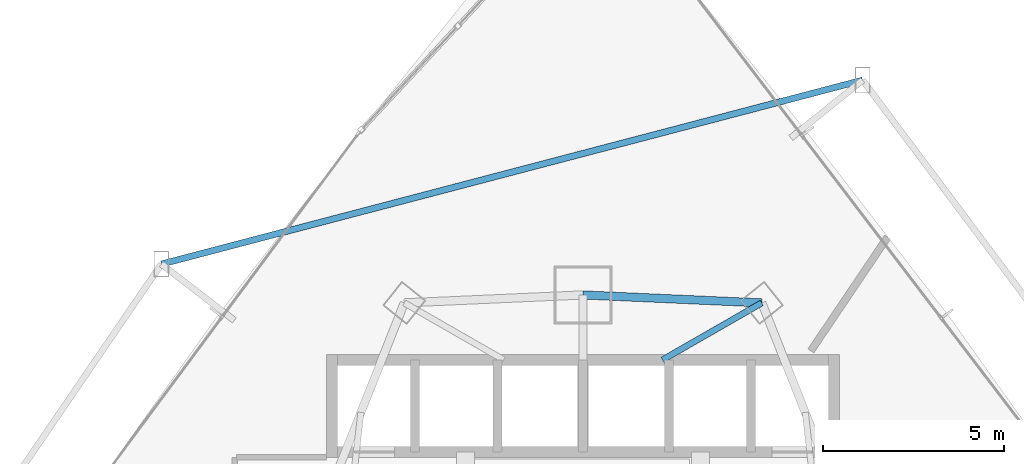
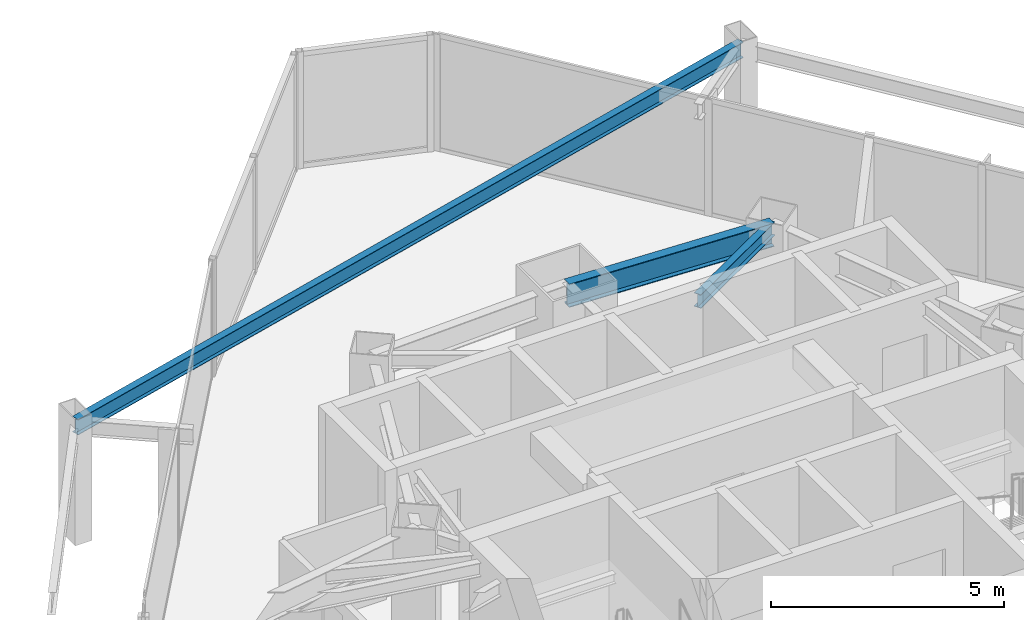
# One storey, part 26 of 37: 3 beams.
"""IFC4 building model written with IfcOpenShell, lengths in metres."""

import ifcopenshell
import ifcopenshell.guid

model = None  # the IFC model being written
_history = None  # IfcOwnerHistory: only IFC2X3 demands one
_inside = {}  # id of a spatial element -> (the spatial element, [elements in it])
_under = {}  # id of a project, library or spatial element -> (it, [spatial elements below it])
_declared = {}  # id of a project -> (the project, [libraries it declares])
_typed = {}  # id of a type object -> (the type object, [elements of that type])
_made_of = {}  # id of a material, layer set ... -> (it, [elements and type objects made of it])


def new_model(schema):
    """Start an empty IFC model of exactly this schema.

    Asked for "IFC4X3", IfcOpenShell would pick the latest addendum, in which some entities
    have other attributes; the version numbers below select the first issue.
    IFC2X3 requires an IfcOwnerHistory on every rooted entity: one is made here for all.
    """
    global model, _history
    if schema == "IFC4X3":
        model = ifcopenshell.file(schema_version=(4, 3, 0, 0))
    else:
        model = ifcopenshell.file(schema=schema)
    _inside.clear()
    _under.clear()
    _declared.clear()
    _typed.clear()
    _made_of.clear()
    _history = None
    if model.schema == "IFC2X3":
        org = make("IfcOrganization", Name="unknown")
        user = make(
            "IfcPersonAndOrganization",
            ThePerson=make("IfcPerson", FamilyName="unknown"),
            TheOrganization=org,
        )
        app = make(
            "IfcApplication",
            ApplicationDeveloper=org,
            Version="unknown",
            ApplicationFullName="unknown",
            ApplicationIdentifier="unknown",
        )
        _history = make(
            "IfcOwnerHistory",
            OwningUser=user,
            OwningApplication=app,
            ChangeAction="ADDED",
            CreationDate=0,
        )
    return model


def make(cls, **values):
    """One entity of the class cls with the attributes given. An attribute that is None is left unset."""
    return model.create_entity(
        cls, **{name: value for name, value in values.items() if value is not None}
    )


def rooted(cls, **values):
    """An entity with a GlobalId (a new one), such as an element, a storey or a relation."""
    return make(cls, GlobalId=ifcopenshell.guid.new(), OwnerHistory=_history, **values)


def si_unit(unit_type, name, prefix=None):
    """IfcSIUnit, for example si_unit("LENGTHUNIT", "METRE", prefix="MILLI")."""
    return make("IfcSIUnit", UnitType=unit_type, Prefix=prefix, Name=name)


def assignment(units):
    """IfcUnitAssignment: the units of a project."""
    return None if units is None else make("IfcUnitAssignment", Units=units)


def point(xyz):
    """IfcCartesianPoint."""
    return None if xyz is None else make("IfcCartesianPoint", Coordinates=xyz)


def direction(xyz):
    """IfcDirection."""
    return None if xyz is None else make("IfcDirection", DirectionRatios=xyz)


def frame(location, z_axis=None, x_axis=None):
    """IfcAxis2Placement3D, a coordinate frame: its origin and axes. An axis left out is left unset."""
    return make(
        "IfcAxis2Placement3D",
        Location=point(location),
        Axis=direction(z_axis),
        RefDirection=direction(x_axis),
    )


def frame_2d(location, x_axis=None):
    """IfcAxis2Placement2D, a coordinate frame in the plane: its origin and x axis."""
    return make(
        "IfcAxis2Placement2D", Location=point(location), RefDirection=direction(x_axis)
    )


def origin():
    """The frame at (0, 0, 0) with its axes left unset."""
    return frame((0.0, 0.0, 0.0))


def origin_2d():
    """The frame at (0, 0) in the plane with its x axis left unset."""
    return frame_2d((0.0, 0.0))


def place(relative_to, where):
    """IfcLocalPlacement: puts the frame where relative to a parent placement (None: the world)."""
    return make(
        "IfcLocalPlacement", PlacementRelTo=relative_to, RelativePlacement=where
    )


def context(
    kind, dimensions, precision=None, world=None, true_north=None, identifier=None
):
    """IfcGeometricRepresentationContext, for example the 3D "Model" context."""
    return make(
        "IfcGeometricRepresentationContext",
        ContextIdentifier=identifier,
        ContextType=kind,
        CoordinateSpaceDimension=dimensions,
        Precision=precision,
        WorldCoordinateSystem=world,
        TrueNorth=true_north,
    )


def subcontext(parent, identifier, kind, view, scale=None):
    """IfcGeometricRepresentationSubContext, for example "Body" below "Model"."""
    return make(
        "IfcGeometricRepresentationSubContext",
        ContextIdentifier=identifier,
        ContextType=kind,
        ParentContext=parent,
        TargetScale=scale,
        TargetView=view,
    )


def project(units=None, contexts=None):
    """IfcProject with its units and contexts."""
    return rooted(
        "IfcProject",
        Name="project",
        RepresentationContexts=contexts,
        UnitsInContext=assignment(units),
    )


def spatial(cls, under=None, at=None, **own):
    """A site, building, storey or space (cls), placed at a placement, below another one or the project."""
    s = rooted(cls, ObjectPlacement=at, **own)
    if under is not None:
        _under.setdefault(under.id(), (under, []))[1].append(s)
    return s


def profile(cls, at=None, kind="AREA", **sizes):
    """A parametric profile (cls). Its sizes go by their IFC names, for example OverallWidth=200.0."""
    return make(cls, ProfileType=kind, Position=at, **sizes)


def i_section(**sizes):
    """IfcIShapeProfileDef."""
    return profile("IfcIShapeProfileDef", **sizes)


def extrude(swept, where, along, depth):
    """IfcExtrudedAreaSolid: the profile swept, set in the frame where, extruded along a direction by depth."""
    return make(
        "IfcExtrudedAreaSolid",
        SweptArea=swept,
        Position=where,
        ExtrudedDirection=direction(along),
        Depth=depth,
    )


def shape(context_of_items, identifier, shape_type, items):
    """IfcShapeRepresentation: the items that make up one representation, for example the "Body"."""
    return make(
        "IfcShapeRepresentation",
        ContextOfItems=context_of_items,
        RepresentationIdentifier=identifier,
        RepresentationType=shape_type,
        Items=items,
    )


def material(Name=None, Category=None):
    """IfcMaterial."""
    return make("IfcMaterial", Name=Name, Category=Category)


def material_profile(
    of_material, cross_section, Name=None, Category=None, Priority=None
):
    """IfcMaterialProfile: a cross section and its material."""
    return make(
        "IfcMaterialProfile",
        Name=Name,
        Material=of_material,
        Profile=cross_section,
        Priority=Priority,
        Category=Category,
    )


def profile_set(profiles, Name=None, composite=None):
    """IfcMaterialProfileSet."""
    return make(
        "IfcMaterialProfileSet",
        Name=Name,
        MaterialProfiles=profiles,
        CompositeProfile=composite,
    )


def made_of(thing, what):
    """Note that an element or type object is made of a material, layer set ...; save() writes the relation."""
    if what is not None:
        _made_of.setdefault(what.id(), (what, []))[1].append(thing)
    return thing


def type_object(cls, material=None, **own):
    """A type object (cls), such as IfcWallType, which elements share."""
    return made_of(rooted(cls, **own), material)


def element(
    cls,
    number,
    at=None,
    inside=None,
    cuts=None,
    type_object=None,
    material=None,
    context=None,
    identifier="Body",
    shape_type=None,
    held_by="IfcProductDefinitionShape",
    body=None,
    shapes=None,
    **own,
):
    """One element of the class cls, such as IfcWall. Its Tag is "e" and its number.

    at: its placement. inside: the storey or other place that contains it. cuts: it is an
    opening in that element (IfcRelVoidsElement). A single representation is given by context,
    identifier, shape_type and body (its items); several are given by shapes. held_by: the class
    of the entity that holds the representations. save() writes the other relations.
    """
    e = rooted(cls, Tag="e%d" % number, ObjectPlacement=at, **own)
    if body is not None:
        shapes = [shape(context, identifier, shape_type, body)]
    if shapes is not None:
        e.Representation = make(held_by, Representations=shapes)
    if inside is not None:
        _inside.setdefault(inside.id(), (inside, []))[1].append(e)
    if cuts is not None:
        rooted(
            "IfcRelVoidsElement", RelatingBuildingElement=cuts, RelatedOpeningElement=e
        )
    if type_object is not None:
        _typed.setdefault(type_object.id(), (type_object, []))[1].append(e)
    return made_of(e, material)


def aggregate(whole, parts):
    """IfcRelAggregates: a whole, such as a stair, and the parts it consists of."""
    return rooted("IfcRelAggregates", RelatingObject=whole, RelatedObjects=parts)


def save(model, path):
    """Write the relations noted so far, then the file.

    IfcRelAggregates (storeys below a building ...), IfcRelContainedInSpatialStructure (elements
    in a storey), IfcRelDefinesByType, IfcRelAssociatesMaterial and IfcRelDeclares: one each for
    every whole, place, type object, material and project.
    """
    for whole, parts in _under.values():
        aggregate(whole, parts)
    for where, things in _inside.values():
        rooted(
            "IfcRelContainedInSpatialStructure",
            RelatedElements=things,
            RelatingStructure=where,
        )
    for kind, things in _typed.values():
        rooted("IfcRelDefinesByType", RelatedObjects=things, RelatingType=kind)
    for what, things in _made_of.values():
        rooted("IfcRelAssociatesMaterial", RelatedObjects=things, RelatingMaterial=what)
    for by, libraries in _declared.values():
        rooted("IfcRelDeclares", RelatingContext=by, RelatedDefinitions=libraries)
    model.write(path)


model = new_model("IFC4")

# Units and contexts
model_context = context("Model", 3, precision=1e-05, world=origin(), true_north=direction((0.0, 1.0)))
body_context = subcontext(model_context, "Body", "Model", "MODEL_VIEW")
ifc_project = project(units=[si_unit("LENGTHUNIT", "METRE"), si_unit("AREAUNIT", "SQUARE_METRE"), si_unit("VOLUMEUNIT", "CUBIC_METRE"), si_unit("PLANEANGLEUNIT", "RADIAN"), si_unit("MASSUNIT", "GRAM", prefix="KILO")], contexts=[model_context])

# Site, building, storey
site_placement = place(None, origin())
site = spatial("IfcSite", under=ifc_project, at=site_placement, CompositionType="ELEMENT")
building_placement = place(site_placement, origin())
building = spatial("IfcBuilding", under=site, at=building_placement, Name="Orvanel Arch Residences", CompositionType="ELEMENT")
storey_placement = place(building_placement, frame((0.0, 0.0, 53.300048828125)))
storey = spatial("IfcBuildingStorey", under=building, at=storey_placement, Name="L14", CompositionType="ELEMENT", Elevation=53.300048828125)

# Beams
ifc_material = material(Name="Structural steel AS/NZS 3679.1 Grade 300 (300 MPa)", Category="steel")
ifc_material_profile_1 = material_profile(ifc_material, i_section(OverallWidth=0.1708984375, OverallDepth=0.35595703125, WebThickness=0.00732421875, FlangeThickness=0.011474609375, at=origin_2d()), Name="360UB50.7")
ifc_profile_set_1 = profile_set([ifc_material_profile_1], Name="Structural steel AS/NZS 3679.1 Grade 300 (300 MPa)")
beam_type_1 = type_object("IfcBeamType", Name="BJ-360UB", PredefinedType="JOIST", material=ifc_profile_set_1)
beam_1_placement = place(storey_placement, frame((35.199951171875, 39.60009765625, 2.8818359375), z_axis=(0.86736513383, 0.497672306458, 0.0), x_axis=(-0.497672306458, 0.86736513383, 0.0)))
element("IfcBeam", 1, at=beam_1_placement, inside=storey, type_object=beam_type_1, Name="L14 MNE Wing Floor Joist", PredefinedType="JOIST", context=body_context, shape_type="SweptSolid", body=[
    extrude(i_section(OverallWidth=0.1708984375, OverallDepth=0.35595703125, WebThickness=0.00732421875, FlangeThickness=0.011474609375, at=origin_2d()), origin(), (0.0, 0.0, 1.0), 3.17041015625),
])
ifc_material_profile_2 = material_profile(ifc_material, i_section(OverallWidth=0.177978515625, OverallDepth=0.406005859375, WebThickness=0.0078125, FlangeThickness=0.0126953125, at=origin_2d()), Name="410UB59.7")
ifc_profile_set_2 = profile_set([ifc_material_profile_2], Name="Structural steel AS/NZS 3679.1 Grade 300 (300 MPa)")
beam_type_2 = type_object("IfcBeamType", Name="OB-410UB-EXT", PredefinedType="SPANDREL", material=ifc_profile_set_2)
beam_2_placement = place(storey_placement, frame((40.739990234375, 47.343994140625, 2.85693359375), z_axis=(-0.967287991375, -0.253680787095, 0.0), x_axis=(0.253680787095, -0.967287991375, 0.0)))
element("IfcBeam", 2, at=beam_2_placement, inside=storey, type_object=beam_type_2, Name="L14 Outer Perimeter Floor Ring Beam 12", PredefinedType="SPANDREL", context=body_context, shape_type="SweptSolid", body=[
    extrude(i_section(OverallWidth=0.177978515625, OverallDepth=0.406005859375, WebThickness=0.0078125, FlangeThickness=0.0126953125, at=origin_2d()), origin(), (0.0, 0.0, 1.0), 20.072509765625),
])
ifc_material_profile_3 = material_profile(ifc_material, i_section(OverallWidth=0.22900390625, OverallDepth=0.612060546875, WebThickness=0.011962890625, FlangeThickness=0.01953125, at=origin_2d()), Name="610UB125")
ifc_profile_set_3 = profile_set([ifc_material_profile_3], Name="Structural steel AS/NZS 3679.1 Grade 300 (300 MPa)")
beam_type_3 = type_object("IfcBeamType", Name="SP-610UB", PredefinedType="SPANDREL", material=ifc_profile_set_3)
beam_3_placement = place(storey_placement, frame((37.949951171875, 41.177978515625, 2.75390625), z_axis=(-0.999014049296, 0.044395149614, 0.0), x_axis=(-0.044395149614, -0.999014049296, 0.0)))
element("IfcBeam", 3, at=beam_3_placement, inside=storey, type_object=beam_type_3, Name="L14 Perimeter Spandrel Beam 16", PredefinedType="SPANDREL", context=body_context, shape_type="SweptSolid", body=[
    extrude(i_section(OverallWidth=0.22900390625, OverallDepth=0.612060546875, WebThickness=0.011962890625, FlangeThickness=0.01953125, at=origin_2d()), origin(), (0.0, 0.0, 1.0), 4.954833984375),
])

save(model, "model.ifc")
